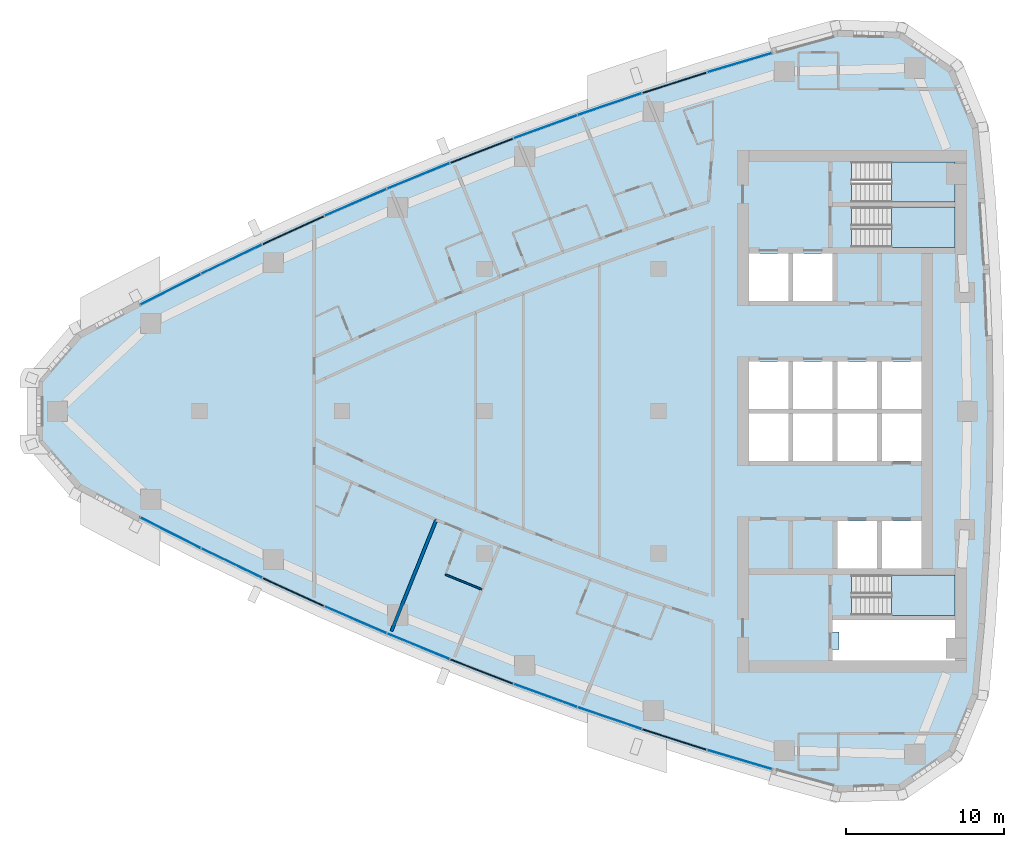
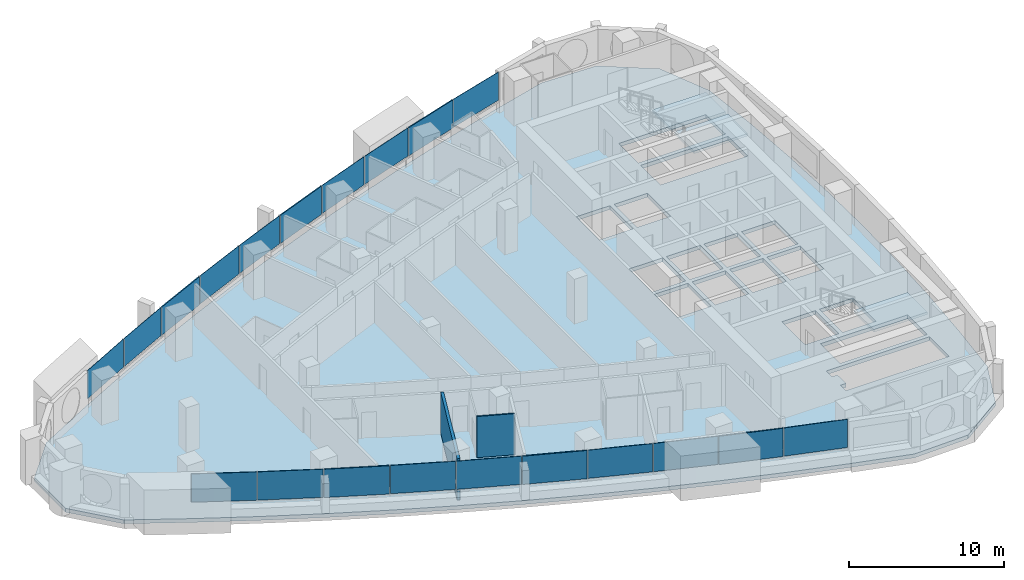
# One storey, part 8 of 17: 20 plates, 4 slabs, 2 walls, 1 opening, 13 elements without a shape of their own.
"""IFC4 building model written with IfcOpenShell, lengths in metres."""

from ifc_helpers import new_model, si_unit, direction, frame, frame_2d, origin, origin_2d, place, context, subcontext, project, spatial, polyline, rectangle, outline, extrude, material, layer, layer_set, type_object, element, aggregate, save


model = new_model("IFC4")

# Units and contexts
model_context = context("Model", 3, precision=1e-05, world=origin(), true_north=direction((0.0, 1.0)))
body_context = subcontext(model_context, "Body", "Model", "MODEL_VIEW")
ifc_project = project(units=[si_unit("LENGTHUNIT", "METRE"), si_unit("AREAUNIT", "SQUARE_METRE"), si_unit("VOLUMEUNIT", "CUBIC_METRE"), si_unit("PLANEANGLEUNIT", "RADIAN"), si_unit("MASSUNIT", "GRAM", prefix="KILO")], contexts=[model_context])

# Site, building, storey
site_placement = place(None, origin())
site = spatial("IfcSite", under=ifc_project, at=site_placement, CompositionType="ELEMENT")
building_placement = place(site_placement, origin())
building = spatial("IfcBuilding", under=site, at=building_placement, Name="Ostrand Prow Hotel Tower", CompositionType="ELEMENT")
storey_placement = place(building_placement, frame((0.0, 0.0, 203.89990234375)))
storey = spatial("IfcBuildingStorey", under=building, at=storey_placement, Name="L51", CompositionType="ELEMENT", Elevation=203.89990234375)

# Curtain wall, plates
ifc_material_1 = material(Name="Insulated glass in bronze anodised frame", Category="glass")
ifc_layer_1 = layer(ifc_material_1, 0.199951171875)
ifc_layer_set_1 = layer_set([ifc_layer_1], Name="Insulated glass in bronze anodised frame")
curtain_wall_type = type_object("IfcCurtainWallType", Name="Strip curtain wall, fritted glass over bronze spandrel", PredefinedType="NOTDEFINED", material=ifc_layer_set_1)
curtain_wall_1_placement = place(storey_placement, origin())
curtain_wall_1 = element("IfcCurtainWall", 1, at=curtain_wall_1_placement, inside=storey, type_object=curtain_wall_type, Name="CW1 run CWS1", PredefinedType="NOTDEFINED")
ifc_material_2 = material(Name="Ceramic-fritted glass", Category="glass")
ifc_layer_2 = layer(ifc_material_2, 0.031982421875)
ifc_layer_set_2 = layer_set([ifc_layer_2], Name="Ceramic-fritted glass")
plate_type_1 = type_object("IfcPlateType", Name="Dot-fritted ceramic glass unit 32 mm", PredefinedType="CURTAIN_PANEL", material=ifc_layer_set_2)
plate_1_placement = place(storey_placement, frame((14.17529296875, -7.6865234375, 1.02001953125), z_axis=(0.0, 0.0, 1.0), x_axis=(0.891683792196, -0.452658828186, 0.0)))
plate_1 = element("IfcPlate", 2, at=plate_1_placement, type_object=plate_type_1, Name="CW1 PN-D panel 1.2", PredefinedType="CURTAIN_PANEL", context=body_context, shape_type="SweptSolid", body=[
    extrude(rectangle(XDim=4.2451171875, YDim=0.031982421875, at=origin_2d()), origin(), (0.0, 0.0, 1.0), 2.22998046875),
])
plate_2_placement = place(storey_placement, frame((18.033203125, -9.596435546875, 1.02001953125), z_axis=(0.0, 0.0, 1.0), x_axis=(0.90061633232, -0.434615027304, 0.0)))
plate_2 = element("IfcPlate", 3, at=plate_2_placement, type_object=plate_type_1, Name="CW1 PN-D panel 2.2", PredefinedType="CURTAIN_PANEL", context=body_context, shape_type="SweptSolid", body=[
    extrude(rectangle(XDim=4.2451171875, YDim=0.031982421875, at=origin_2d()), origin(), (0.0, 0.0, 1.0), 2.22998046875),
])
aggregate(curtain_wall_1, [plate_1, plate_2])

# Curtain wall, plate
curtain_wall_2_placement = place(storey_placement, origin())
curtain_wall_2 = element("IfcCurtainWall", 4, at=curtain_wall_2_placement, inside=storey, type_object=curtain_wall_type, Name="CW1 run CWS2", PredefinedType="NOTDEFINED")
plate_3_placement = place(storey_placement, frame((25.860595703125, -13.181396484375, 1.02001953125), z_axis=(0.0, 0.0, 1.0), x_axis=(0.917383388347, -0.398004671812, 0.0)))
plate_3 = element("IfcPlate", 5, at=plate_3_placement, type_object=plate_type_1, Name="CW1 PN-D panel 2.2", PredefinedType="CURTAIN_PANEL", context=body_context, shape_type="SweptSolid", body=[
    extrude(rectangle(XDim=4.2451171875, YDim=0.031982421875, at=origin_2d()), origin(), (0.0, 0.0, 1.0), 2.22998046875),
])

curtain_wall_3_placement = place(storey_placement, origin())
curtain_wall_3 = element("IfcCurtainWall", 6, at=curtain_wall_3_placement, inside=storey, type_object=curtain_wall_type, Name="CW1 run CWS3", PredefinedType="NOTDEFINED")
plate_4_placement = place(storey_placement, frame((29.826904296875, -14.85498046875, 1.02001953125), z_axis=(0.0, 0.0, 1.0), x_axis=(0.925211042932, -0.379452929936, 0.0)))
plate_4 = element("IfcPlate", 7, at=plate_4_placement, type_object=plate_type_1, Name="CW1 PN-D panel 1.2", PredefinedType="CURTAIN_PANEL", context=body_context, shape_type="SweptSolid", body=[
    extrude(rectangle(XDim=4.2451171875, YDim=0.031982421875, at=origin_2d()), origin(), (0.0, 0.0, 1.0), 2.22998046875),
])

# Curtain wall, plates
curtain_wall_4_placement = place(storey_placement, origin())
curtain_wall_4 = element("IfcCurtainWall", 8, at=curtain_wall_4_placement, inside=storey, type_object=curtain_wall_type, Name="CW1 run CWS4", PredefinedType="NOTDEFINED")
plate_5_placement = place(storey_placement, frame((37.8564453125, -17.960693359375, 1.02001953125), z_axis=(0.0, 0.0, 1.0), x_axis=(0.939737383067, -0.341897134919, 0.0)))
plate_5 = element("IfcPlate", 9, at=plate_5_placement, type_object=plate_type_1, Name="CW1 PN-D panel 1.2", PredefinedType="CURTAIN_PANEL", context=body_context, shape_type="SweptSolid", body=[
    extrude(rectangle(XDim=4.2451171875, YDim=0.031982421875, at=origin_2d()), origin(), (0.0, 0.0, 1.0), 2.22998046875),
])
plate_6_placement = place(storey_placement, frame((41.91650390625, -19.3916015625, 1.02001953125), z_axis=(0.0, 0.0, 1.0), x_axis=(0.946430245113, -0.322908332404, 0.0)))
plate_6 = element("IfcPlate", 10, at=plate_6_placement, type_object=plate_type_1, Name="CW1 PN-D panel 2.2", PredefinedType="CURTAIN_PANEL", context=body_context, shape_type="SweptSolid", body=[
    extrude(rectangle(XDim=4.2451171875, YDim=0.031982421875, at=origin_2d()), origin(), (0.0, 0.0, 1.0), 2.22998046875),
])
aggregate(curtain_wall_4, [plate_5, plate_6])

# Curtain wall, plate
curtain_wall_5_placement = place(storey_placement, origin())
curtain_wall_5 = element("IfcCurtainWall", 11, at=curtain_wall_5_placement, inside=storey, type_object=curtain_wall_type, Name="CW1 run CWS5", PredefinedType="NOTDEFINED")
plate_7_placement = place(storey_placement, frame((50.118896484375, -22.007080078125, 1.02001953125), z_axis=(0.0, 0.0, 1.0), x_axis=(0.958662947758, -0.284544113619, 0.0)))
plate_7 = element("IfcPlate", 12, at=plate_7_placement, type_object=plate_type_1, Name="CW1 PN-D panel 2.2", PredefinedType="CURTAIN_PANEL", context=body_context, shape_type="SweptSolid", body=[
    extrude(rectangle(XDim=4.2451171875, YDim=0.031982421875, at=origin_2d()), origin(), (0.0, 0.0, 1.0), 2.22998046875),
])

curtain_wall_6_placement = place(storey_placement, origin())
curtain_wall_6 = element("IfcCurtainWall", 13, at=curtain_wall_6_placement, inside=storey, type_object=curtain_wall_type, Name="CW1 run CWN1", PredefinedType="NOTDEFINED")
plate_8_placement = place(storey_placement, frame((50.118896484375, 22.007080078125, 1.02001953125), z_axis=(0.0, 0.0, 1.0), x_axis=(-0.958662947758, -0.284544113619, 0.0)))
plate_8 = element("IfcPlate", 14, at=plate_8_placement, type_object=plate_type_1, Name="CW1 PN-D panel 1.2", PredefinedType="CURTAIN_PANEL", context=body_context, shape_type="SweptSolid", body=[
    extrude(rectangle(XDim=4.2451171875, YDim=0.031982421875, at=origin_2d()), origin(), (0.0, 0.0, 1.0), 2.22998046875),
])

# Curtain wall, plates
curtain_wall_7_placement = place(storey_placement, origin())
curtain_wall_7 = element("IfcCurtainWall", 15, at=curtain_wall_7_placement, inside=storey, type_object=curtain_wall_type, Name="CW1 run CWN2", PredefinedType="NOTDEFINED")
plate_9_placement = place(storey_placement, frame((41.91650390625, 19.3916015625, 1.02001953125), z_axis=(0.0, 0.0, 1.0), x_axis=(-0.946430245113, -0.322908332404, 0.0)))
plate_9 = element("IfcPlate", 16, at=plate_9_placement, type_object=plate_type_1, Name="CW1 PN-D panel 1.2", PredefinedType="CURTAIN_PANEL", context=body_context, shape_type="SweptSolid", body=[
    extrude(rectangle(XDim=4.2451171875, YDim=0.031982421875, at=origin_2d()), origin(), (0.0, 0.0, 1.0), 2.22998046875),
])
plate_10_placement = place(storey_placement, frame((37.8564453125, 17.960693359375, 1.02001953125), z_axis=(0.0, 0.0, 1.0), x_axis=(-0.939737383067, -0.341897134919, 0.0)))
plate_10 = element("IfcPlate", 17, at=plate_10_placement, type_object=plate_type_1, Name="CW1 PN-D panel 2.2", PredefinedType="CURTAIN_PANEL", context=body_context, shape_type="SweptSolid", body=[
    extrude(rectangle(XDim=4.2451171875, YDim=0.031982421875, at=origin_2d()), origin(), (0.0, 0.0, 1.0), 2.22998046875),
])
aggregate(curtain_wall_7, [plate_9, plate_10])

# Curtain wall, plate
curtain_wall_8_placement = place(storey_placement, origin())
curtain_wall_8 = element("IfcCurtainWall", 18, at=curtain_wall_8_placement, inside=storey, type_object=curtain_wall_type, Name="CW1 run CWN3", PredefinedType="NOTDEFINED")
plate_11_placement = place(storey_placement, frame((29.826904296875, 14.85498046875, 1.02001953125), z_axis=(0.0, 0.0, 1.0), x_axis=(-0.925211042932, -0.379452929936, 0.0)))
plate_11 = element("IfcPlate", 19, at=plate_11_placement, type_object=plate_type_1, Name="CW1 PN-D panel 2.2", PredefinedType="CURTAIN_PANEL", context=body_context, shape_type="SweptSolid", body=[
    extrude(rectangle(XDim=4.2451171875, YDim=0.031982421875, at=origin_2d()), origin(), (0.0, 0.0, 1.0), 2.22998046875),
])

curtain_wall_9_placement = place(storey_placement, origin())
curtain_wall_9 = element("IfcCurtainWall", 20, at=curtain_wall_9_placement, inside=storey, type_object=curtain_wall_type, Name="CW1 run CWN4", PredefinedType="NOTDEFINED")
plate_12_placement = place(storey_placement, frame((25.860595703125, 13.181396484375, 1.02001953125), z_axis=(0.0, 0.0, 1.0), x_axis=(-0.917383388347, -0.398004671812, 0.0)))
plate_12 = element("IfcPlate", 21, at=plate_12_placement, type_object=plate_type_1, Name="CW1 PN-D panel 1.2", PredefinedType="CURTAIN_PANEL", context=body_context, shape_type="SweptSolid", body=[
    extrude(rectangle(XDim=4.2451171875, YDim=0.031982421875, at=origin_2d()), origin(), (0.0, 0.0, 1.0), 2.22998046875),
])

# Curtain wall, plates
curtain_wall_10_placement = place(storey_placement, origin())
curtain_wall_10 = element("IfcCurtainWall", 22, at=curtain_wall_10_placement, inside=storey, type_object=curtain_wall_type, Name="CW1 run CWN5", PredefinedType="NOTDEFINED")
plate_13_placement = place(storey_placement, frame((18.033203125, 9.596435546875, 1.02001953125), z_axis=(0.0, 0.0, 1.0), x_axis=(-0.90061633232, -0.434615027304, 0.0)))
plate_13 = element("IfcPlate", 23, at=plate_13_placement, type_object=plate_type_1, Name="CW1 PN-D panel 1.2", PredefinedType="CURTAIN_PANEL", context=body_context, shape_type="SweptSolid", body=[
    extrude(rectangle(XDim=4.2451171875, YDim=0.031982421875, at=origin_2d()), origin(), (0.0, 0.0, 1.0), 2.22998046875),
])
plate_14_placement = place(storey_placement, frame((14.17529296875, 7.6865234375, 1.02001953125), z_axis=(0.0, 0.0, 1.0), x_axis=(-0.891683792196, -0.452658828186, 0.0)))
plate_14 = element("IfcPlate", 24, at=plate_14_placement, type_object=plate_type_1, Name="CW1 PN-D panel 2.2", PredefinedType="CURTAIN_PANEL", context=body_context, shape_type="SweptSolid", body=[
    extrude(rectangle(XDim=4.2451171875, YDim=0.031982421875, at=origin_2d()), origin(), (0.0, 0.0, 1.0), 2.22998046875),
])
aggregate(curtain_wall_10, [plate_13, plate_14])

# Plate
ifc_material_3 = material(Name="Fritted glass in bronze vent frame", Category="glass")
ifc_layer_3 = layer(ifc_material_3, 0.080078125)
ifc_layer_set_3 = layer_set([ifc_layer_3], Name="Fritted glass in bronze vent frame")
plate_type_2 = type_object("IfcPlateType", Name="Operable vent panel 80 mm", PredefinedType="CURTAIN_PANEL", material=ifc_layer_set_3)
plate_15_placement = place(storey_placement, frame((21.928955078125, -11.428466796875, 1.02001953125), z_axis=(0.0, 0.0, 1.0), x_axis=(0.909184517226, -0.416393460127, 0.0)))
plate_15 = element("IfcPlate", 25, at=plate_15_placement, type_object=plate_type_2, Name="CW1 PN-O2 panel 1.2", PredefinedType="CURTAIN_PANEL", context=body_context, shape_type="SweptSolid", body=[
    extrude(rectangle(XDim=4.2451171875, YDim=0.080078125, at=origin_2d()), origin(), (0.0, 0.0, 1.0), 2.22998046875),
])

aggregate(curtain_wall_2, [plate_15, plate_3])

plate_16_placement = place(storey_placement, frame((33.826171875, -16.4482421875, 1.02001953125), z_axis=(0.0, 0.0, 1.0), x_axis=(0.932662950972, -0.360748970732, 0.0)))
plate_16 = element("IfcPlate", 26, at=plate_16_placement, type_object=plate_type_2, Name="CW1 PN-O2 panel 2.2", PredefinedType="CURTAIN_PANEL", context=body_context, shape_type="SweptSolid", body=[
    extrude(rectangle(XDim=4.2451171875, YDim=0.080078125, at=origin_2d()), origin(), (0.0, 0.0, 1.0), 2.22998046875),
])

aggregate(curtain_wall_3, [plate_4, plate_16])

plate_17_placement = place(storey_placement, frame((46.00439453125, -20.74072265625, 1.02001953125), z_axis=(0.0, 0.0, 1.0), x_axis=(0.952739983864, -0.303786970008, 0.0)))
plate_17 = element("IfcPlate", 27, at=plate_17_placement, type_object=plate_type_2, Name="CW1 PN-O2 panel 1.2", PredefinedType="CURTAIN_PANEL", context=body_context, shape_type="SweptSolid", body=[
    extrude(rectangle(XDim=4.2451171875, YDim=0.080078125, at=origin_2d()), origin(), (0.0, 0.0, 1.0), 2.22998046875),
])

aggregate(curtain_wall_5, [plate_17, plate_7])

plate_18_placement = place(storey_placement, frame((46.00439453125, 20.74072265625, 1.02001953125), z_axis=(0.0, 0.0, 1.0), x_axis=(-0.952739983864, -0.303786970008, 0.0)))
plate_18 = element("IfcPlate", 28, at=plate_18_placement, type_object=plate_type_2, Name="CW1 PN-O2 panel 2.2", PredefinedType="CURTAIN_PANEL", context=body_context, shape_type="SweptSolid", body=[
    extrude(rectangle(XDim=4.2451171875, YDim=0.080078125, at=origin_2d()), origin(), (0.0, 0.0, 1.0), 2.22998046875),
])

aggregate(curtain_wall_6, [plate_8, plate_18])

plate_19_placement = place(storey_placement, frame((33.826171875, 16.4482421875, 1.02001953125), z_axis=(0.0, 0.0, 1.0), x_axis=(-0.932662950972, -0.360748970732, 0.0)))
plate_19 = element("IfcPlate", 29, at=plate_19_placement, type_object=plate_type_2, Name="CW1 PN-O2 panel 1.2", PredefinedType="CURTAIN_PANEL", context=body_context, shape_type="SweptSolid", body=[
    extrude(rectangle(XDim=4.2451171875, YDim=0.080078125, at=origin_2d()), origin(), (0.0, 0.0, 1.0), 2.22998046875),
])

aggregate(curtain_wall_8, [plate_19, plate_11])

plate_20_placement = place(storey_placement, frame((21.928955078125, 11.428466796875, 1.02001953125), z_axis=(0.0, 0.0, 1.0), x_axis=(-0.909184517226, -0.416393460127, 0.0)))
plate_20 = element("IfcPlate", 30, at=plate_20_placement, type_object=plate_type_2, Name="CW1 PN-O2 panel 2.2", PredefinedType="CURTAIN_PANEL", context=body_context, shape_type="SweptSolid", body=[
    extrude(rectangle(XDim=4.2451171875, YDim=0.080078125, at=origin_2d()), origin(), (0.0, 0.0, 1.0), 2.22998046875),
])

aggregate(curtain_wall_9, [plate_12, plate_20])

# Slab, opening
ifc_material_4 = material(Name="Concrete C40/50", Category="concrete")
ifc_layer_4 = layer(ifc_material_4, 0.300048828125)
ifc_layer_set_4 = layer_set([ifc_layer_4], Name="Concrete C40/50")
slab_type_1 = type_object("IfcSlabType", Name="PT flat plate 300 C40/50", PredefinedType="FLOOR", material=ifc_layer_set_4)
slab_1_placement = place(storey_placement, frame((0.0, 0.0, -0.2998046875)))
slab_1 = element("IfcSlab", 31, at=slab_1_placement, inside=storey, type_object=slab_type_1, Name="Floor slab L51-1", PredefinedType="FLOOR", context=body_context, shape_type="SweptSolid", body=[
    extrude(outline(polyline([(8.22216796875, 5.025634765625), (12.06689453125, 7.07568359375), (15.912841796875, 9.0283203125), (19.797607421875, 10.90283203125), (23.718994140625, 12.698974609375), (27.676025390625, 14.41552734375), (31.666748046875, 16.05224609375), (35.689697265625, 17.6083984375), (39.7431640625, 19.0830078125), (43.8251953125, 20.475830078125), (47.934814453125, 21.7861328125), (52.06982421875, 23.013427734375), (56.26220703125, 24.16650390625), (60.3349609375, 24.0498046875), (63.721435546875, 21.719482421875), (65.2861328125, 17.957275390625), (65.70947265625, 13.453369140625), (66.009765625, 8.974365234375), (66.18994140625, 4.48876953125), (66.25, 0.0), (66.18994140625, -4.48876953125), (66.009765625, -8.974365234375), (65.70947265625, -13.453369140625), (65.2861328125, -17.957275390625), (63.721435546875, -21.719482421875), (60.3349609375, -24.0498046875), (56.26220703125, -24.16650390625), (52.06982421875, -23.013427734375), (47.934814453125, -21.7861328125), (43.8251953125, -20.475830078125), (39.7431640625, -19.0830078125), (35.689697265625, -17.6083984375), (31.666748046875, -16.05224609375), (27.676025390625, -14.41552734375), (23.718994140625, -12.698974609375), (19.797607421875, -10.90283203125), (15.912841796875, -9.0283203125), (12.06689453125, -7.07568359375), (8.22216796875, -5.025634765625), (5.614013671875, -2.014892578125), (5.614013671875, 2.014892578125), (8.22216796875, 5.025634765625)]), holes=[polyline([(50.699951171875, 6.949951171875), (53.199951171875, 6.949951171875), (53.199951171875, 9.949951171875), (50.699951171875, 9.949951171875), (50.699951171875, 6.949951171875)]), polyline([(53.5, 6.949951171875), (56.0, 6.949951171875), (56.0, 9.949951171875), (53.5, 9.949951171875), (53.5, 6.949951171875)]), polyline([(50.699951171875, 0.14990234375), (53.199951171875, 0.14990234375), (53.199951171875, 3.14990234375), (50.699951171875, 3.14990234375), (50.699951171875, 0.14990234375)]), polyline([(53.5, 0.14990234375), (56.0, 0.14990234375), (56.0, 3.14990234375), (53.5, 3.14990234375), (53.5, 0.14990234375)]), polyline([(56.300048828125, 0.14990234375), (58.800048828125, 0.14990234375), (58.800048828125, 3.14990234375), (56.300048828125, 3.14990234375), (56.300048828125, 0.14990234375)]), polyline([(59.10009765625, 0.14990234375), (61.60009765625, 0.14990234375), (61.60009765625, 3.14990234375), (59.10009765625, 3.14990234375), (59.10009765625, 0.14990234375)]), polyline([(50.699951171875, -3.14990234375), (53.199951171875, -3.14990234375), (53.199951171875, -0.14990234375), (50.699951171875, -0.14990234375), (50.699951171875, -3.14990234375)]), polyline([(53.5, -3.14990234375), (56.0, -3.14990234375), (56.0, -0.14990234375), (53.5, -0.14990234375), (53.5, -3.14990234375)]), polyline([(56.300048828125, -3.14990234375), (58.800048828125, -3.14990234375), (58.800048828125, -0.14990234375), (56.300048828125, -0.14990234375), (56.300048828125, -3.14990234375)]), polyline([(59.10009765625, -3.14990234375), (61.60009765625, -3.14990234375), (61.60009765625, -0.14990234375), (59.10009765625, -0.14990234375), (59.10009765625, -3.14990234375)]), polyline([(56.300048828125, -9.949951171875), (58.800048828125, -9.949951171875), (58.800048828125, -6.949951171875), (56.300048828125, -6.949951171875), (56.300048828125, -9.949951171875)]), polyline([(59.10009765625, -9.949951171875), (61.60009765625, -9.949951171875), (61.60009765625, -6.949951171875), (59.10009765625, -6.949951171875), (59.10009765625, -9.949951171875)]), polyline([(57.200927734375, 10.35107421875), (57.200927734375, 12.89892578125), (63.718994140625, 12.89892578125), (63.718994140625, 10.35107421875), (57.200927734375, 10.35107421875)]), polyline([(57.200927734375, 13.200927734375), (57.200927734375, 15.7490234375), (63.718994140625, 15.7490234375), (63.718994140625, 13.200927734375), (57.200927734375, 13.200927734375)]), polyline([(57.200927734375, -12.89892578125), (57.200927734375, -10.35107421875), (63.718994140625, -10.35107421875), (63.718994140625, -12.89892578125), (57.200927734375, -12.89892578125)]), polyline([(63.719970703125, -13.199951171875), (63.719970703125, -15.75), (56.0, -15.75), (56.0, -15.050048828125), (56.39990234375, -15.050048828125), (56.39990234375, -13.949951171875), (56.0, -13.949951171875), (56.0, -13.199951171875), (63.719970703125, -13.199951171875)])]), origin(), (0.0, 0.0, 1.0), 0.2998046875),
])
opening_placement = place(slab_1_placement, origin())
element("IfcOpeningElement", 32, at=opening_placement, cuts=slab_1, Name="Shaft opening 1", PredefinedType="OPENING", context=body_context, shape_type="SweptSolid", body=[
    extrude(outline(polyline([(63.719970703125, -13.199951171875), (63.719970703125, -15.75), (56.0, -15.75), (56.0, -15.050048828125), (56.39990234375, -15.050048828125), (56.39990234375, -13.949951171875), (56.0, -13.949951171875), (56.0, -13.199951171875), (63.719970703125, -13.199951171875)])), origin(), (0.0, 0.0, 1.0), 0.2998046875),
])

# Stair, slab
ifc_material_5 = material(Name="Concrete C40/50", Category="concrete")
stair_type = type_object("IfcStairType", Name="Exit stair 1200 upper zone", PredefinedType="HALF_TURN_STAIR", material=ifc_material_5)
stair_1_placement = place(storey_placement, origin())
stair_1 = element("IfcStair", 33, at=stair_1_placement, inside=storey, type_object=stair_type, Name="L51 ST1C", PredefinedType="HALF_TURN_STAIR")
ifc_material_6 = material(Name="Concrete C40/50", Category="concrete")
ifc_layer_5 = layer(ifc_material_6, 0.199951171875)
ifc_layer_set_5 = layer_set([ifc_layer_5], Name="Concrete C40/50")
slab_type_2 = type_object("IfcSlabType", Name="Stair landing 200 concrete", PredefinedType="LANDING", material=ifc_layer_set_5)
slab_2_placement = place(storey_placement, frame((0.0, 0.0, 1.5751953125)))
slab_2 = element("IfcSlab", 34, at=slab_2_placement, type_object=slab_type_2, Name="ST1C landing 1", PredefinedType="LANDING", context=body_context, shape_type="SweptSolid", body=[
    extrude(outline(polyline([(59.719970703125, 10.35009765625), (63.719970703125, 10.35009765625), (63.719970703125, 12.89990234375), (59.719970703125, 12.89990234375), (59.719970703125, 10.35009765625)])), origin(), (0.0, 0.0, 1.0), 0.199951171875),
])
aggregate(stair_1, [slab_2])

stair_2_placement = place(storey_placement, origin())
stair_2 = element("IfcStair", 35, at=stair_2_placement, inside=storey, type_object=stair_type, Name="L51 ST3C", PredefinedType="HALF_TURN_STAIR")
slab_3_placement = place(storey_placement, frame((0.0, 0.0, 1.5751953125)))
slab_3 = element("IfcSlab", 36, at=slab_3_placement, type_object=slab_type_2, Name="ST3C landing 1", PredefinedType="LANDING", context=body_context, shape_type="SweptSolid", body=[
    extrude(outline(polyline([(59.719970703125, 13.199951171875), (63.719970703125, 13.199951171875), (63.719970703125, 15.75), (59.719970703125, 15.75), (59.719970703125, 13.199951171875)])), origin(), (0.0, 0.0, 1.0), 0.199951171875),
])
aggregate(stair_2, [slab_3])

stair_3_placement = place(storey_placement, origin())
stair_3 = element("IfcStair", 37, at=stair_3_placement, inside=storey, type_object=stair_type, Name="L51 ST2C", PredefinedType="HALF_TURN_STAIR")
slab_4_placement = place(storey_placement, frame((0.0, 0.0, 1.5751953125)))
slab_4 = element("IfcSlab", 38, at=slab_4_placement, type_object=slab_type_2, Name="ST2C landing 1", PredefinedType="LANDING", context=body_context, shape_type="SweptSolid", body=[
    extrude(outline(polyline([(59.719970703125, -12.89990234375), (63.719970703125, -12.89990234375), (63.719970703125, -10.35009765625), (59.719970703125, -10.35009765625), (59.719970703125, -12.89990234375)])), origin(), (0.0, 0.0, 1.0), 0.199951171875),
])
aggregate(stair_3, [slab_4])

# Walls
ifc_material_7 = material(Name="Plasterboard partition")
ifc_layer_6 = layer(ifc_material_7, 0.10009765625)
ifc_layer_set_6 = layer_set([ifc_layer_6], Name="Plasterboard partition")
wall_type_1 = type_object("IfcWallType", Name="Partition 100 bathroom wall", PredefinedType="PARTITIONING", material=ifc_layer_set_6)
wall_1_placement = place(storey_placement, frame((33.833984375, -11.261474609375, 0.0), z_axis=(0.0, 0.0, 1.0), x_axis=(-0.925906573805, 0.377752586469, 0.0)))
element("IfcWall", 39, at=wall_1_placement, inside=storey, type_object=wall_type_1, Name="BATHROOM WALL", PredefinedType="PARTITIONING", context=body_context, shape_type="SweptSolid", body=[
    extrude(rectangle(XDim=2.484375, YDim=0.10009765625, at=frame_2d((1.2421875, 0.0))), origin(), (0.0, 0.0, 1.0), 3.25),
])
ifc_material_8 = material(Name="Plasterboard partition")
ifc_layer_7 = layer(ifc_material_8, 0.199951171875)
ifc_layer_set_7 = layer_set([ifc_layer_7], Name="Plasterboard partition")
wall_type_2 = type_object("IfcWallType", Name="Partition 200 key partition", PredefinedType="PARTITIONING", material=ifc_layer_set_7)
wall_2_placement = place(storey_placement, frame((28.123779296875, -13.896728515625, 0.0), z_axis=(0.0, 0.0, 1.0), x_axis=(0.373876084216, 0.927478664796, 0.0)))
element("IfcWall", 40, at=wall_2_placement, inside=storey, type_object=wall_type_2, Name="KEY PARTITION", PredefinedType="PARTITIONING", context=body_context, shape_type="SweptSolid", body=[
    extrude(rectangle(XDim=7.600341796875, YDim=0.199951171875, at=frame_2d((3.80029296875, 0.0))), origin(), (0.0, 0.0, 1.0), 3.25),
])

save(model, "model.ifc")
